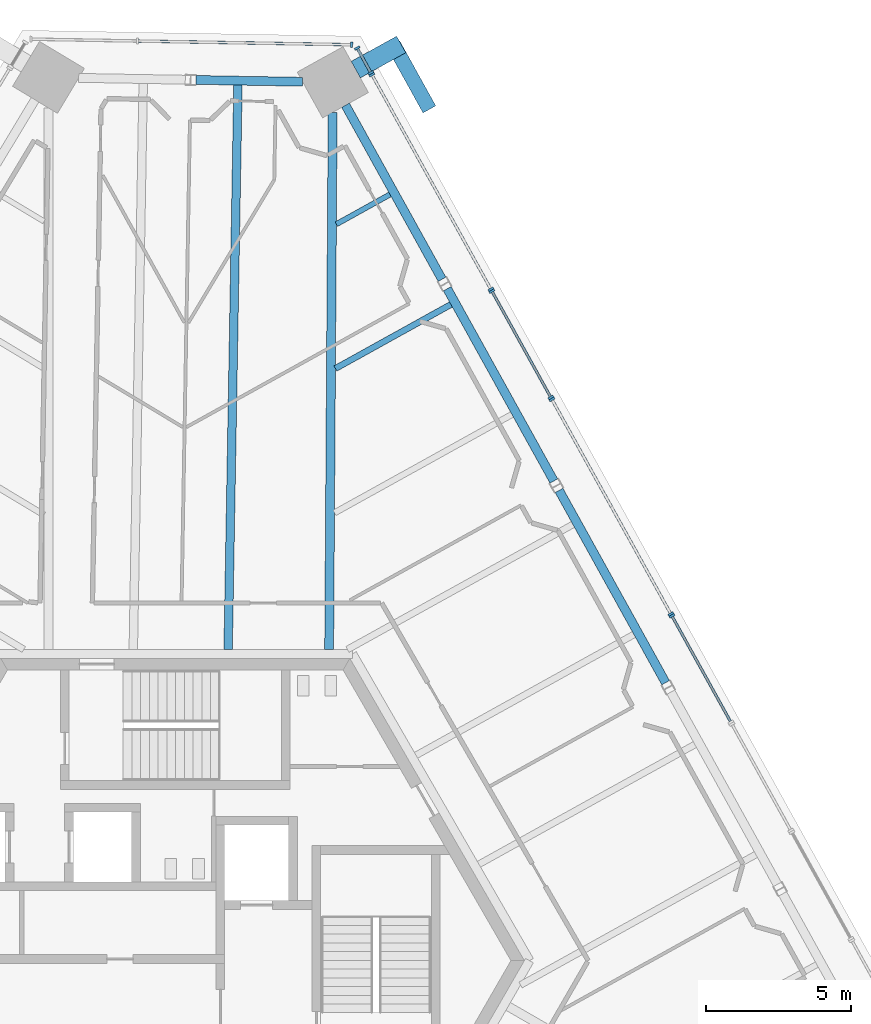
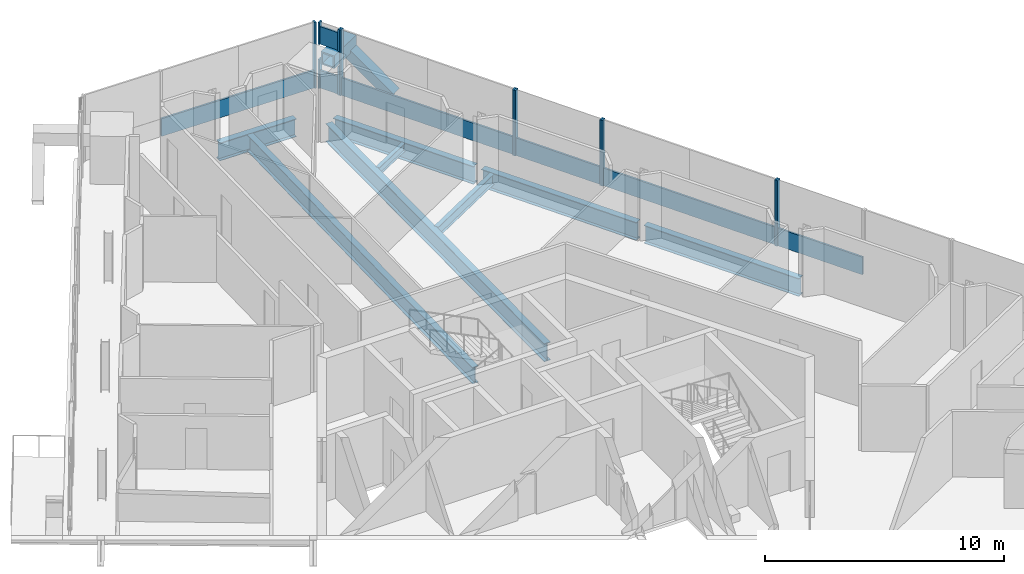
# One storey, part 10 of 24: 21 members, 8 beams, 7 elements without a shape of their own.
"""IFC4 building model written with IfcOpenShell, lengths in metres."""

from ifc_helpers import new_model, si_unit, direction, frame, origin, origin_2d, place, context, subcontext, project, spatial, rectangle, hollow_rectangle, i_section, extrude, source, transform, mapped, material, material_profile, profile_set, type_object, element, aggregate, save


model = new_model("IFC4")

# Units and contexts
model_context = context("Model", 3, precision=1e-05, world=origin(), true_north=direction((0.0, 1.0)))
body_context = subcontext(model_context, "Body", "Model", "MODEL_VIEW")
ifc_project = project(units=[si_unit("LENGTHUNIT", "METRE"), si_unit("AREAUNIT", "SQUARE_METRE"), si_unit("VOLUMEUNIT", "CUBIC_METRE"), si_unit("PLANEANGLEUNIT", "RADIAN"), si_unit("MASSUNIT", "GRAM", prefix="KILO")], contexts=[model_context])

# Site, building, storey
site_placement = place(None, origin())
site = spatial("IfcSite", under=ifc_project, at=site_placement, CompositionType="ELEMENT")
building_placement = place(site_placement, origin())
building = spatial("IfcBuilding", under=site, at=building_placement, Name="Triune Harvest Tower", CompositionType="ELEMENT")
storey_placement = place(building_placement, frame((0.0, 0.0, 212.300048828125)))
storey = spatial("IfcBuildingStorey", under=building, at=storey_placement, Name="L55", CompositionType="ELEMENT", Elevation=212.300048828125)

# Member
ifc_material_1 = material(Name="Steel ASTM A572 Gr 50", Category="steel")
ifc_material_profile_1 = material_profile(ifc_material_1, hollow_rectangle(XDim=0.64990234375, YDim=0.64990234375, WallThickness=0.070068359375, at=origin_2d()), Name="Box 650x650x70")
ifc_profile_set_1 = profile_set([ifc_material_profile_1], Name="Steel ASTM A572 Gr 50")
member_type_1 = type_object("IfcMemberType", Name="BS-1 Brace stub Box 650x650x70", PredefinedType="STRUT", material=ifc_profile_set_1)
member_1_placement = place(storey_placement, frame((6.203369140625, 30.62939453125, 1.849853515625), z_axis=(0.87465947683, 0.484737866884, 0.0), x_axis=(-0.484737866884, 0.87465947683, 0.0)))
element("IfcMember", 1, at=member_1_placement, inside=storey, type_object=member_type_1, Name="brace/B5-F1/stub2", PredefinedType="STRUT", context=body_context, shape_type="SweptSolid", body=[
    extrude(hollow_rectangle(XDim=0.64990234375, YDim=0.64990234375, WallThickness=0.070068359375, at=origin_2d()), origin(), (0.0, 0.0, 1.0), 1.786865234375),
])

# Curtain wall, member
ifc_material_2 = material(Name="Aluminium bronze anodised", Category="aluminium")
curtain_wall_type_1 = type_object("IfcCurtainWallType", Name="CW-7 Tower stick curtain wall with insulated spandrel infill", PredefinedType="NOTDEFINED", material=ifc_material_2)
curtain_wall_1_placement = place(storey_placement, origin())
curtain_wall_1 = element("IfcCurtainWall", 2, at=curtain_wall_1_placement, inside=storey, type_object=curtain_wall_type_1, Name="CW-7 B5-F1 L55 run 6201")
ifc_material_3 = material(Name="Aluminium bronze anodised", Category="aluminium")
ifc_material_profile_2 = material_profile(ifc_material_3, rectangle(XDim=0.090087890625, YDim=0.89990234375, at=origin_2d()), Name="TR-1 transom 90 x 900")
ifc_profile_set_2 = profile_set([ifc_material_profile_2], Name="Aluminium bronze anodised")
member_type_2 = type_object("IfcMemberType", Name="TR-1 transom 90 x 900", PredefinedType="USERDEFINED", material=ifc_profile_set_2)
member_2_placement = place(storey_placement, frame((10.830078125, 23.112060546875, 0.449951171875), z_axis=(-0.484819288873, 0.874614347662, 0.0), x_axis=(-0.874614347662, -0.484819288873, 0.0)))
member_2 = element("IfcMember", 3, at=member_2_placement, type_object=member_type_2, Name="CW-7 transom B5-F1 6201.1", ObjectType="TRANSOM", PredefinedType="USERDEFINED", context=body_context, shape_type="SweptSolid", body=[
    extrude(rectangle(XDim=0.090087890625, YDim=0.89990234375, at=origin_2d()), origin(), (0.0, 0.0, 1.0), 8.357666015625),
])

# Beams
ifc_material_4 = material(Name="Steel ASTM A992 Gr 50", Category="steel")
ifc_material_profile_3 = material_profile(ifc_material_4, i_section(OverallWidth=0.3046875, OverallDepth=0.914306640625, WebThickness=0.0166015625, FlangeThickness=0.02587890625, at=origin_2d()), Name="W36x160")
ifc_profile_set_3 = profile_set([ifc_material_profile_3], Name="Steel ASTM A992 Gr 50")
beam_type_1 = type_object("IfcBeamType", Name="SB-1 Spandrel beam W36x160", PredefinedType="SPANDREL", material=ifc_profile_set_3)
shared_shape_1 = source(origin(), body_context, "Body", "SweptSolid", [
    extrude(i_section(OverallWidth=0.3046875, OverallDepth=0.914306640625, WebThickness=0.0166015625, FlangeThickness=0.02587890625, at=origin_2d()), origin(), (0.0, 0.0, 1.0), 6.841796875),
])
beam_1_placement = place(storey_placement, frame((9.16943359375, 23.421875, -0.6171875), z_axis=(-0.484833781575, 0.87460631386, 0.0), x_axis=(-0.87460631386, -0.484833781575, 0.0)))
element("IfcBeam", 4, at=beam_1_placement, inside=storey, type_object=beam_type_1, Name="beam/L55/SB6", PredefinedType="SPANDREL", context=body_context, shape_type="MappedRepresentation", body=[
    mapped(shared_shape_1, transform((0.0, 0.0, 0.0), scale=1.0)),
])
shared_shape_2 = source(origin(), body_context, "Body", "SweptSolid", [
    extrude(i_section(OverallWidth=0.3046875, OverallDepth=0.914306640625, WebThickness=0.0166015625, FlangeThickness=0.02587890625, at=origin_2d()), origin(), (0.0, 0.0, 1.0), 7.556396484375),
])
for number, where, z_axis, x_axis, name in (
    (5, (16.855712890625, 9.555419921875, -0.6171875), (-0.484806011206, 0.874621707654, 0.0), (-0.874621707654, -0.484806011206, 0.0), "beam/L55/SB4"),
    (6, (13.0126953125, 16.488525390625, -0.6171875), (-0.484830726301, 0.874608007529, 0.0), (-0.874608007529, -0.484830726301, 0.0), "beam/L55/SB5"),
):
    element("IfcBeam", number, at=place(storey_placement, frame(where, z_axis=z_axis, x_axis=x_axis)), inside=storey, type_object=beam_type_1, Name=name, PredefinedType="SPANDREL", context=body_context, shape_type="MappedRepresentation", body=[
        mapped(shared_shape_2, transform((0.0, 0.0, 0.0), scale=1.0)),
    ])
shared_shape_3 = source(origin(), body_context, "Body", "SweptSolid", [
    extrude(i_section(OverallWidth=0.3046875, OverallDepth=0.914306640625, WebThickness=0.0166015625, FlangeThickness=0.02587890625, at=origin_2d()), origin(), (0.0, 0.0, 1.0), 3.66357421875),
])
beam_2_placement = place(storey_placement, frame((4.376953125, 30.211181640625, -0.6171875), z_axis=(-0.999847573959, 0.017459348466, 0.0), x_axis=(-0.017459348466, -0.999847573959, 0.0)))
element("IfcBeam", 7, at=beam_2_placement, inside=storey, type_object=beam_type_1, Name="beam/L55/SB7", PredefinedType="SPANDREL", context=body_context, shape_type="MappedRepresentation", body=[
    mapped(shared_shape_3, transform((0.0, 0.0, 0.0), scale=1.0)),
])
ifc_material_5 = material(Name="Steel ASTM A992 Gr 50", Category="steel")
ifc_material_profile_4 = material_profile(ifc_material_5, i_section(OverallWidth=0.307373046875, OverallDepth=0.922119140625, WebThickness=0.018310546875, FlangeThickness=0.030029296875, at=origin_2d()), Name="W36x182")
ifc_profile_set_4 = profile_set([ifc_material_profile_4], Name="Steel ASTM A992 Gr 50")
beam_type_2 = type_object("IfcBeamType", Name="HG-2 Hip girder W36x182", PredefinedType="BEAM", material=ifc_profile_set_4)
shared_shape_4 = source(origin(), body_context, "Body", "SweptSolid", [
    extrude(i_section(OverallWidth=0.307373046875, OverallDepth=0.922119140625, WebThickness=0.018310546875, FlangeThickness=0.030029296875, at=origin_2d()), origin(), (0.0, 0.0, 1.0), 18.463623046875),
])
beam_3_placement = place(storey_placement, frame((5.409423828125, 29.16015625, -0.62109375), z_axis=(-0.006518869748, -0.999978751943, 0.0), x_axis=(0.999978751943, -0.006518869748, 0.0)))
element("IfcBeam", 8, at=beam_3_placement, inside=storey, type_object=beam_type_2, Name="beam/L55/HG3", PredefinedType="BEAM", context=body_context, shape_type="MappedRepresentation", body=[
    mapped(shared_shape_4, transform((0.0, 0.0, 0.0), scale=1.0)),
])
ifc_material_6 = material(Name="Steel ASTM A992 Gr 50", Category="steel")
ifc_material_profile_5 = material_profile(ifc_material_6, i_section(OverallWidth=0.2099609375, OverallDepth=0.535888671875, WebThickness=0.010986328125, FlangeThickness=0.017333984375, at=origin_2d()), Name="W21x68")
ifc_profile_set_5 = profile_set([ifc_material_profile_5], Name="Steel ASTM A992 Gr 50")
beam_type_3 = type_object("IfcBeamType", Name="JT-2 Floor joist W21x68", PredefinedType="JOIST", material=ifc_profile_set_5)
shared_shape_5 = source(origin(), body_context, "Body", "SweptSolid", [
    extrude(i_section(OverallWidth=0.2099609375, OverallDepth=0.535888671875, WebThickness=0.010986328125, FlangeThickness=0.017333984375, at=origin_2d()), origin(), (0.0, 0.0, 1.0), 4.538818359375),
])
beam_4_placement = place(storey_placement, frame((9.475341796875, 22.555419921875, -0.427978515625), z_axis=(-0.874621193693, -0.484806938423, 0.0), x_axis=(0.484806938423, -0.874621193693, 0.0)))
element("IfcBeam", 9, at=beam_4_placement, inside=storey, type_object=beam_type_3, Name="beam/L55/JT9", PredefinedType="JOIST", context=body_context, shape_type="MappedRepresentation", body=[
    mapped(shared_shape_5, transform((0.0, 0.0, 0.0), scale=1.0)),
])
ifc_material_7 = material(Name="Steel ASTM A992 Gr 50", Category="steel")
ifc_material_profile_6 = material_profile(ifc_material_7, i_section(OverallWidth=0.180908203125, OverallDepth=0.41650390625, WebThickness=0.010986328125, FlangeThickness=0.01806640625, at=origin_2d()), Name="W16x57")
ifc_profile_set_6 = profile_set([ifc_material_profile_6], Name="Steel ASTM A992 Gr 50")
beam_type_4 = type_object("IfcBeamType", Name="JT-1 Floor joist W16x57", PredefinedType="JOIST", material=ifc_profile_set_6)
shared_shape_6 = source(origin(), body_context, "Body", "SweptSolid", [
    extrude(i_section(OverallWidth=0.180908203125, OverallDepth=0.41650390625, WebThickness=0.010986328125, FlangeThickness=0.01806640625, at=origin_2d()), origin(), (0.0, 0.0, 1.0), 2.10498046875),
])
beam_5_placement = place(storey_placement, frame((7.379150390625, 26.33740234375, -0.368408203125), z_axis=(-0.874621898411, -0.484805667067, 0.0), x_axis=(0.484805667067, -0.874621898411, 0.0)))
element("IfcBeam", 10, at=beam_5_placement, inside=storey, type_object=beam_type_4, Name="beam/L55/JT10", PredefinedType="JOIST", context=body_context, shape_type="MappedRepresentation", body=[
    mapped(shared_shape_6, transform((0.0, 0.0, 0.0), scale=1.0)),
])
ifc_material_8 = material(Name="Steel ASTM A992 Gr 50", Category="steel")
ifc_material_profile_7 = material_profile(ifc_material_8, i_section(OverallWidth=0.2919921875, OverallDepth=0.8408203125, WebThickness=0.0146484375, FlangeThickness=0.021728515625, at=origin_2d()), Name="W33x130")
ifc_profile_set_7 = profile_set([ifc_material_profile_7], Name="Steel ASTM A992 Gr 50")
beam_type_5 = type_object("IfcBeamType", Name="JT-6 Floor joist W33x130", PredefinedType="JOIST", material=ifc_profile_set_7)
shared_shape_7 = source(origin(), body_context, "Body", "SweptSolid", [
    extrude(i_section(OverallWidth=0.2919921875, OverallDepth=0.8408203125, WebThickness=0.0146484375, FlangeThickness=0.021728515625, at=origin_2d()), origin(), (0.0, 0.0, 1.0), 19.403564453125),
])
beam_6_placement = place(storey_placement, frame((2.155029296875, 30.09765625, -0.58056640625), z_axis=(-0.017451567023, -0.999847709808, 0.0), x_axis=(0.999847709808, -0.017451567023, 0.0)))
element("IfcBeam", 11, at=beam_6_placement, inside=storey, type_object=beam_type_5, Name="beam/L55/JT11", PredefinedType="JOIST", context=body_context, shape_type="MappedRepresentation", body=[
    mapped(shared_shape_7, transform((0.0, 0.0, 0.0), scale=1.0)),
])

# Member
ifc_material_9 = material(Name="Steel ASTM A572 Gr 50", Category="steel")
ifc_material_profile_8 = material_profile(ifc_material_9, hollow_rectangle(XDim=0.5, YDim=0.5, WallThickness=0.030029296875, at=origin_2d()), Name="Box 500x500x30")
ifc_profile_set_8 = profile_set([ifc_material_profile_8], Name="Steel ASTM A572 Gr 50")
member_type_3 = type_object("IfcMemberType", Name="BR-3 Brace Box 500x500x30", PredefinedType="BRACE", material=ifc_profile_set_8)
shared_shape_8 = source(origin(), body_context, "Body", "SweptSolid", [
    extrude(hollow_rectangle(XDim=0.5, YDim=0.5, WallThickness=0.030029296875, at=origin_2d()), origin(), (0.0, 0.0, 1.0), 2.77734375),
])
member_3_placement = place(storey_placement, frame((8.666015625, 29.387939453125, 0.0), z_axis=(-0.39795649014, 0.717939177153, 0.571133933386), x_axis=(-0.874621615392, -0.484806177651, 0.0)))
element("IfcMember", 12, at=member_3_placement, inside=storey, type_object=member_type_3, Name="brace/B5-F1/d1/10", PredefinedType="BRACE", context=body_context, shape_type="MappedRepresentation", body=[
    mapped(shared_shape_8, transform((0.0, 0.0, 0.0), scale=1.0)),
])

# Curtain wall, members
ifc_material_10 = material(Name="Aluminium bronze anodised", Category="aluminium")
curtain_wall_type_2 = type_object("IfcCurtainWallType", Name="CW-1 Tower stick curtain wall", PredefinedType="NOTDEFINED", material=ifc_material_10)
curtain_wall_2_placement = place(storey_placement, origin())
curtain_wall_2 = element("IfcCurtainWall", 13, at=curtain_wall_2_placement, inside=storey, type_object=curtain_wall_type_2, Name="CW-1 B5-F1 L55 run 401")
ifc_material_11 = material(Name="Aluminium bronze anodised", Category="aluminium")
ifc_material_profile_9 = material_profile(ifc_material_11, rectangle(XDim=0.199951171875, YDim=0.074951171875, at=origin_2d()), Name="MU-1 mullion 75 x 200")
ifc_profile_set_9 = profile_set([ifc_material_profile_9], Name="Aluminium bronze anodised")
member_type_4 = type_object("IfcMemberType", Name="MU-1 mullion 75 x 200", PredefinedType="MULLION", material=ifc_profile_set_9)
shared_shape_9 = source(origin(), body_context, "Body", "SweptSolid", [
    extrude(rectangle(XDim=0.199951171875, YDim=0.074951171875, at=origin_2d()), origin(), (0.0, 0.0, 1.0), 1.114990234375),
])
member_4_placement = place(storey_placement, frame((6.7236328125, 30.520263671875, 2.23486328125), z_axis=(0.0, 0.0, 1.0), x_axis=(-0.874611930429, -0.484823649537, 0.0)))
member_4 = element("IfcMember", 14, at=member_4_placement, type_object=member_type_4, Name="CW-1 mullion B5-F1 401.1", PredefinedType="MULLION", context=body_context, shape_type="MappedRepresentation", body=[
    mapped(shared_shape_9, transform((0.0, 0.0, 0.0), scale=1.0)),
])
member_5_placement = place(storey_placement, frame((6.252197265625, 31.370361328125, 2.23486328125), z_axis=(0.0, 0.0, 1.0), x_axis=(-0.874611930429, -0.484823649537, 0.0)))
member_5 = element("IfcMember", 15, at=member_5_placement, type_object=member_type_4, Name="CW-1 mullion B5-F1 401.2", PredefinedType="MULLION", context=body_context, shape_type="MappedRepresentation", body=[
    mapped(shared_shape_9, transform((0.0, 0.0, 0.0), scale=1.0)),
])

# Curtain wall, member
curtain_wall_3_placement = place(storey_placement, origin())
curtain_wall_3 = element("IfcCurtainWall", 16, at=curtain_wall_3_placement, inside=storey, type_object=curtain_wall_type_1, Name="CW-7 B5-F1 L55 run 301")
shared_shape_10 = source(origin(), body_context, "Body", "SweptSolid", [
    extrude(rectangle(XDim=0.090087890625, YDim=0.89990234375, at=origin_2d()), origin(), (0.0, 0.0, 1.0), 0.89697265625),
])
member_6_placement = place(storey_placement, frame((6.705322265625, 30.552978515625, 0.449951171875), z_axis=(-0.484695263475, 0.87468308636, 0.0), x_axis=(-0.87468308636, -0.484695263475, 0.0)))
member_6 = element("IfcMember", 17, at=member_6_placement, type_object=member_type_2, Name="CW-7 transom B5-F1 301.1", ObjectType="TRANSOM", PredefinedType="USERDEFINED", context=body_context, shape_type="MappedRepresentation", body=[
    mapped(shared_shape_10, transform((0.0, 0.0, 0.0), scale=1.0)),
])

# Member
member_7_placement = place(storey_placement, frame((6.705322265625, 30.552978515625, 2.68505859375), z_axis=(-0.484695263475, 0.87468308636, 0.0), x_axis=(-0.87468308636, -0.484695263475, 0.0)))
member_7 = element("IfcMember", 18, at=member_7_placement, type_object=member_type_2, Name="CW-1 transom B5-F1 401.1", ObjectType="TRANSOM", PredefinedType="USERDEFINED", context=body_context, shape_type="MappedRepresentation", body=[
    mapped(shared_shape_10, transform((0.0, 0.0, 0.0), scale=1.0)),
])

aggregate(curtain_wall_2, [member_4, member_5, member_7])

# Curtain wall, member
curtain_wall_4_placement = place(storey_placement, origin())
curtain_wall_4 = element("IfcCurtainWall", 19, at=curtain_wall_4_placement, inside=storey, type_object=curtain_wall_type_1, Name="CW-7 B5-F2 L55 run 1")
shared_shape_11 = source(origin(), body_context, "Body", "SweptSolid", [
    extrude(rectangle(XDim=0.090087890625, YDim=0.89990234375, at=origin_2d()), origin(), (0.0, 0.0, 1.0), 7.287841796875),
])
member_8_placement = place(storey_placement, frame((6.025634765625, 31.48486328125, 0.449951171875), z_axis=(-0.999848258084, 0.017420126456, 0.0), x_axis=(-0.017420126456, -0.999848258084, 0.0)))
member_8 = element("IfcMember", 20, at=member_8_placement, type_object=member_type_2, Name="CW-7 transom B5-F2 1.1", ObjectType="TRANSOM", PredefinedType="USERDEFINED", context=body_context, shape_type="MappedRepresentation", body=[
    mapped(shared_shape_11, transform((0.0, 0.0, 0.0), scale=1.0)),
])

# Member
shared_shape_12 = source(origin(), body_context, "Body", "SweptSolid", [
    extrude(rectangle(XDim=0.199951171875, YDim=0.074951171875, at=origin_2d()), origin(), (0.0, 0.0, 1.0), 1.46484375),
])
member_9_placement = place(storey_placement, frame((6.7236328125, 30.520263671875, 0.0), z_axis=(0.0, 0.0, 1.0), x_axis=(-0.874611930429, -0.484823649537, 0.0)))
member_9 = element("IfcMember", 21, at=member_9_placement, type_object=member_type_4, Name="CW-7 mullion B5-F1 301.1", PredefinedType="MULLION", context=body_context, shape_type="MappedRepresentation", body=[
    mapped(shared_shape_12, transform((0.0, 0.0, 0.0), scale=1.0)),
])

member_10_placement = place(storey_placement, frame((6.252197265625, 31.370361328125, 0.0), z_axis=(0.0, 0.0, 1.0), x_axis=(-0.874611930429, -0.484823649537, 0.0)))
member_10 = element("IfcMember", 22, at=member_10_placement, type_object=member_type_4, Name="CW-7 mullion B5-F1 301.2", PredefinedType="MULLION", context=body_context, shape_type="MappedRepresentation", body=[
    mapped(shared_shape_12, transform((0.0, 0.0, 0.0), scale=1.0)),
])

aggregate(curtain_wall_3, [member_9, member_10, member_6])

# Curtain wall, member
curtain_wall_5_placement = place(storey_placement, origin())
curtain_wall_5 = element("IfcCurtainWall", 23, at=curtain_wall_5_placement, inside=storey, type_object=curtain_wall_type_2, Name="CW-1 B5-F1 L55 run 3201")
shared_shape_13 = source(origin(), body_context, "Body", "SweptSolid", [
    extrude(rectangle(XDim=0.199951171875, YDim=0.074951171875, at=origin_2d()), origin(), (0.0, 0.0, 1.0), 3.349853515625),
])
member_11_placement = place(storey_placement, frame((17.071533203125, 11.851806640625, 0.0), z_axis=(0.0, 0.0, 1.0), x_axis=(-0.874610419475, -0.484826375259, 0.0)))
member_11 = element("IfcMember", 24, at=member_11_placement, type_object=member_type_4, Name="CW-1 mullion B5-F1 3201.2", PredefinedType="MULLION", context=body_context, shape_type="MappedRepresentation", body=[
    mapped(shared_shape_13, transform((0.0, 0.0, 0.0), scale=1.0)),
])

# Curtain wall, members
curtain_wall_6_placement = place(storey_placement, origin())
curtain_wall_6 = element("IfcCurtainWall", 25, at=curtain_wall_6_placement, inside=storey, type_object=curtain_wall_type_1, Name="CW-7 B5-F1 L55 run 4201")
member_12_placement = place(storey_placement, frame((17.03515625, 11.91748046875, 0.0), z_axis=(0.0, 0.0, 1.0), x_axis=(-0.874620928871, -0.484807416178, 0.0)))
member_12 = element("IfcMember", 26, at=member_12_placement, type_object=member_type_4, Name="CW-7 mullion B5-F1 4201.1", PredefinedType="MULLION", context=body_context, shape_type="MappedRepresentation", body=[
    mapped(shared_shape_13, transform((0.0, 0.0, 0.0), scale=1.0)),
])
member_13_placement = place(storey_placement, frame((12.94677734375, 19.29296875, 0.0), z_axis=(0.0, 0.0, 1.0), x_axis=(-0.874620928871, -0.484807416178, 0.0)))
member_13 = element("IfcMember", 27, at=member_13_placement, type_object=member_type_4, Name="CW-7 mullion B5-F1 4201.3", PredefinedType="MULLION", context=body_context, shape_type="MappedRepresentation", body=[
    mapped(shared_shape_13, transform((0.0, 0.0, 0.0), scale=1.0)),
])

curtain_wall_7_placement = place(storey_placement, origin())
curtain_wall_7 = element("IfcCurtainWall", 28, at=curtain_wall_7_placement, inside=storey, type_object=curtain_wall_type_2, Name="CW-1 B5-F1 L55 run 5201")
member_14_placement = place(storey_placement, frame((12.910400390625, 19.358642578125, 0.0), z_axis=(0.0, 0.0, 1.0), x_axis=(-0.874625912716, -0.484798424921, 0.0)))
member_14 = element("IfcMember", 29, at=member_14_placement, type_object=member_type_4, Name="CW-1 mullion B5-F1 5201.1", PredefinedType="MULLION", context=body_context, shape_type="MappedRepresentation", body=[
    mapped(shared_shape_13, transform((0.0, 0.0, 0.0), scale=1.0)),
])
member_15_placement = place(storey_placement, frame((10.884521484375, 23.013671875, 0.0), z_axis=(0.0, 0.0, 1.0), x_axis=(-0.874625912716, -0.484798424921, 0.0)))
member_15 = element("IfcMember", 30, at=member_15_placement, type_object=member_type_4, Name="CW-1 mullion B5-F1 5201.2", PredefinedType="MULLION", context=body_context, shape_type="MappedRepresentation", body=[
    mapped(shared_shape_13, transform((0.0, 0.0, 0.0), scale=1.0)),
])

# Member
member_16_placement = place(storey_placement, frame((10.84814453125, 23.0791015625, 0.0), z_axis=(0.0, 0.0, 1.0), x_axis=(-0.874618166241, -0.484812400091, 0.0)))
member_16 = element("IfcMember", 31, at=member_16_placement, type_object=member_type_4, Name="CW-7 mullion B5-F1 6201.1", PredefinedType="MULLION", context=body_context, shape_type="MappedRepresentation", body=[
    mapped(shared_shape_13, transform((0.0, 0.0, 0.0), scale=1.0)),
])

member_17_placement = place(storey_placement, frame((6.759765625, 30.45458984375, 0.0), z_axis=(0.0, 0.0, 1.0), x_axis=(-0.874618166241, -0.484812400091, 0.0)))
member_17 = element("IfcMember", 32, at=member_17_placement, type_object=member_type_4, Name="CW-7 mullion B5-F1 6201.3", PredefinedType="MULLION", context=body_context, shape_type="MappedRepresentation", body=[
    mapped(shared_shape_13, transform((0.0, 0.0, 0.0), scale=1.0)),
])

aggregate(curtain_wall_1, [member_16, member_17, member_2])

member_18_placement = place(storey_placement, frame((6.06298828125, 31.484130859375, 0.0), z_axis=(0.0, 0.0, 1.0), x_axis=(-0.017446318452, -0.999847801404, 0.0)))
member_18 = element("IfcMember", 33, at=member_18_placement, type_object=member_type_4, Name="CW-7 mullion B5-F2 1.1", PredefinedType="MULLION", context=body_context, shape_type="MappedRepresentation", body=[
    mapped(shared_shape_13, transform((0.0, 0.0, 0.0), scale=1.0)),
])

aggregate(curtain_wall_4, [member_18, member_8])

shared_shape_14 = source(origin(), body_context, "Body", "SweptSolid", [
    extrude(rectangle(XDim=0.090087890625, YDim=0.89990234375, at=origin_2d()), origin(), (0.0, 0.0, 1.0), 4.103759765625),
])
member_19_placement = place(storey_placement, frame((19.079345703125, 8.229736328125, 0.449951171875), z_axis=(-0.484789065346, 0.874631100591, 0.0), x_axis=(-0.874631100591, -0.484789065346, 0.0)))
member_19 = element("IfcMember", 34, at=member_19_placement, type_object=member_type_2, Name="CW-1 transom B5-F1 3201.1", ObjectType="TRANSOM", PredefinedType="USERDEFINED", context=body_context, shape_type="MappedRepresentation", body=[
    mapped(shared_shape_14, transform((0.0, 0.0, 0.0), scale=1.0)),
])

aggregate(curtain_wall_5, [member_11, member_19])

member_20_placement = place(storey_placement, frame((12.892333984375, 19.391357421875, 0.449951171875), z_axis=(-0.484789065346, 0.874631100591, 0.0), x_axis=(-0.874631100591, -0.484789065346, 0.0)))
member_20 = element("IfcMember", 35, at=member_20_placement, type_object=member_type_2, Name="CW-1 transom B5-F1 5201.1", ObjectType="TRANSOM", PredefinedType="USERDEFINED", context=body_context, shape_type="MappedRepresentation", body=[
    mapped(shared_shape_14, transform((0.0, 0.0, 0.0), scale=1.0)),
])

aggregate(curtain_wall_7, [member_14, member_15, member_20])

shared_shape_15 = source(origin(), body_context, "Body", "SweptSolid", [
    extrude(rectangle(XDim=0.090087890625, YDim=0.89990234375, at=origin_2d()), origin(), (0.0, 0.0, 1.0), 8.35791015625),
])
member_21_placement = place(storey_placement, frame((17.01708984375, 11.9501953125, 0.449951171875), z_axis=(-0.484806902693, 0.874621213498, 0.0), x_axis=(-0.874621213498, -0.484806902693, 0.0)))
member_21 = element("IfcMember", 36, at=member_21_placement, type_object=member_type_2, Name="CW-7 transom B5-F1 4201.1", ObjectType="TRANSOM", PredefinedType="USERDEFINED", context=body_context, shape_type="MappedRepresentation", body=[
    mapped(shared_shape_15, transform((0.0, 0.0, 0.0), scale=1.0)),
])

aggregate(curtain_wall_6, [member_12, member_13, member_21])

save(model, "model.ifc")
